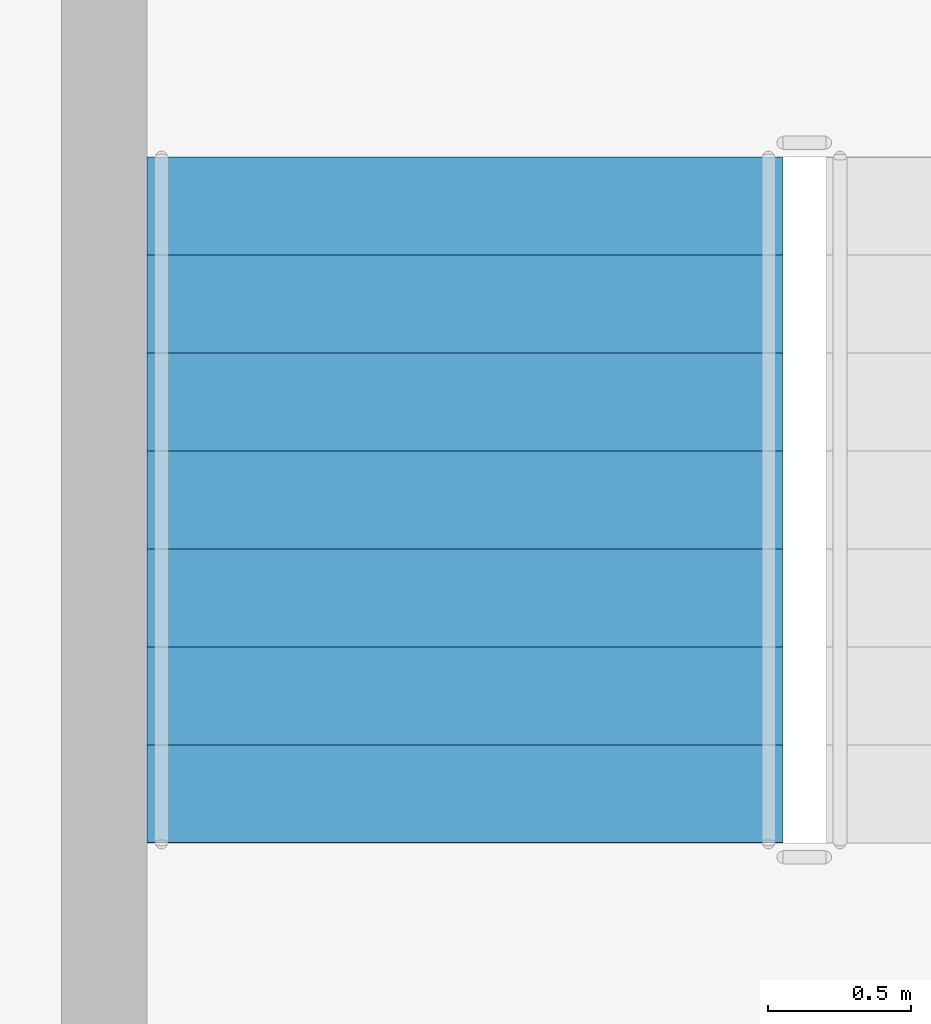
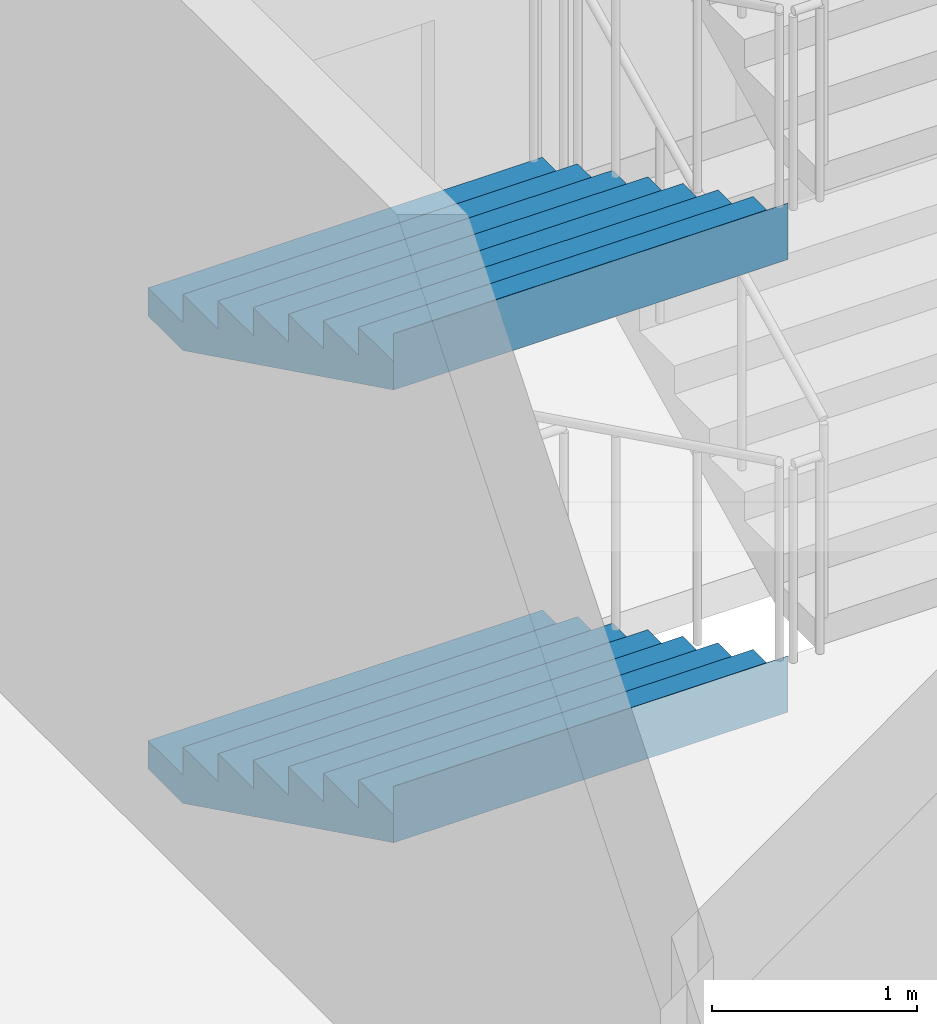
# One storey, part 29 of 42: 2 stair flights, 1 element without a shape of its own.
"""IFC4 building model written with IfcOpenShell, lengths in metres."""

from ifc_helpers import new_model, si_unit, direction, frame, origin, place, context, subcontext, project, spatial, triangles, material, type_object, element, aggregate, save


model = new_model("IFC4")

# Units and contexts
model_context = context("Model", 3, precision=1e-05, world=origin(), true_north=direction((0.0, 1.0)))
body_context = subcontext(model_context, "Body", "Model", "MODEL_VIEW")
ifc_project = project(units=[si_unit("LENGTHUNIT", "METRE"), si_unit("AREAUNIT", "SQUARE_METRE"), si_unit("VOLUMEUNIT", "CUBIC_METRE"), si_unit("PLANEANGLEUNIT", "RADIAN"), si_unit("MASSUNIT", "GRAM", prefix="KILO")], contexts=[model_context])

# Site, building, storey
site_placement = place(None, origin())
site = spatial("IfcSite", under=ifc_project, at=site_placement, CompositionType="ELEMENT")
building_placement = place(site_placement, origin())
building = spatial("IfcBuilding", under=site, at=building_placement, Name="Sahrelin Media Tower", CompositionType="ELEMENT")
storey_placement = place(building_placement, frame((0.0, 0.0, 26.0)))
storey = spatial("IfcBuildingStorey", under=building, at=storey_placement, Name="L03", CompositionType="ELEMENT", Elevation=26.0)

# Stair, stair flights
ifc_material = material(Name="Concrete C40/50", Category="concrete")
stair_type = type_object("IfcStairType", Name="Podium stair 2225", PredefinedType="HALF_TURN_STAIR", material=ifc_material)
stair_placement = place(storey_placement, origin())
stair = element("IfcStair", 1, at=stair_placement, inside=storey, type_object=stair_type, Name="L03 Podium stair PS3", PredefinedType="HALF_TURN_STAIR")
stair_flight_type = type_object("IfcStairFlightType", Name="Stair flight 2225", PredefinedType="STRAIGHT", material=ifc_material)
stair_flight_1_placement = place(storey_placement, frame((-11.83740234375, -30.625, 0.0), z_axis=(0.0, 0.0, 1.0), x_axis=(0.0, -1.0, 0.0)))
stair_flight_1 = element("IfcStairFlight", 2, at=stair_flight_1_placement, type_object=stair_flight_type, Name="PS3 flight 1", NumberOfRisers=8, NumberOfTreads=7, PredefinedType="STRAIGHT", RiserHeight=0.16875, TreadLength=0.342857143, context=body_context, shape_type="Tessellation", body=[
    triangles([(0.33935546875, 1.112548828125, 0.0), (0.33935546875, 0.794677734375, 0.0), (0.33935546875, 0.476806640625, 0.0), (0.33935546875, 0.158935546875, 0.0), (0.33935546875, -0.158935546875, 0.0), (0.33935546875, -0.476806640625, 0.0), (0.33935546875, -0.794677734375, 0.0), (0.33935546875, -1.112548828125, 0.0), (2.39990234375, 1.112548828125, 1.01416015625), (2.39990234375, 0.794677734375, 1.01416015625), (2.39990234375, 0.476806640625, 1.01416015625), (2.39990234375, 0.158935546875, 1.01416015625), (2.39990234375, -0.158935546875, 1.01416015625), (2.39990234375, -0.476806640625, 1.01416015625), (2.39990234375, -0.794677734375, 1.01416015625), (2.39990234375, -1.112548828125, 1.01416015625), (2.39990234375, 1.112548828125, 1.35009765625), (2.39990234375, 0.794677734375, 1.35009765625), (2.39990234375, 0.476806640625, 1.35009765625), (2.39990234375, 0.158935546875, 1.35009765625), (2.39990234375, -0.158935546875, 1.35009765625), (2.39990234375, -0.476806640625, 1.35009765625), (2.39990234375, -0.794677734375, 1.35009765625), (2.39990234375, -1.112548828125, 1.35009765625), (2.39794921875, 1.112548828125, 1.35009765625), (2.39794921875, 0.794677734375, 1.35009765625), (2.39794921875, 0.476806640625, 1.35009765625), (2.39794921875, 0.158935546875, 1.35009765625), (2.39794921875, -0.158935546875, 1.35009765625), (2.39794921875, -0.476806640625, 1.35009765625), (2.39794921875, -0.794677734375, 1.35009765625), (2.39794921875, -1.112548828125, 1.35009765625), (2.39794921875, 1.112548828125, 1.18115234375), (2.39794921875, 0.794677734375, 1.18115234375), (2.39794921875, 0.476806640625, 1.18115234375), (2.39794921875, 0.158935546875, 1.18115234375), (2.39794921875, -0.158935546875, 1.18115234375), (2.39794921875, -0.476806640625, 1.18115234375), (2.39794921875, -0.794677734375, 1.18115234375), (2.39794921875, -1.112548828125, 1.18115234375), (2.05712890625, 1.112548828125, 1.18115234375), (2.05712890625, 0.794677734375, 1.18115234375), (2.05712890625, 0.476806640625, 1.18115234375), (2.05712890625, 0.158935546875, 1.18115234375), (2.05712890625, -0.158935546875, 1.18115234375), (2.05712890625, -0.476806640625, 1.18115234375), (2.05712890625, -0.794677734375, 1.18115234375), (2.05712890625, -1.112548828125, 1.18115234375), (2.05712890625, 1.112548828125, 1.012451171875), (2.05712890625, 0.794677734375, 1.012451171875), (2.05712890625, 0.476806640625, 1.012451171875), (2.05712890625, 0.158935546875, 1.012451171875), (2.05712890625, -0.158935546875, 1.012451171875), (2.05712890625, -0.476806640625, 1.012451171875), (2.05712890625, -0.794677734375, 1.012451171875), (2.05712890625, -1.112548828125, 1.012451171875), (1.71435546875, 1.112548828125, 1.012451171875), (1.71435546875, 0.794677734375, 1.012451171875), (1.71435546875, 0.476806640625, 1.012451171875), (1.71435546875, 0.158935546875, 1.012451171875), (1.71435546875, -0.158935546875, 1.012451171875), (1.71435546875, -0.476806640625, 1.012451171875), (1.71435546875, -0.794677734375, 1.012451171875), (1.71435546875, -1.112548828125, 1.012451171875), (1.71435546875, 1.112548828125, 0.84375), (1.71435546875, 0.794677734375, 0.84375), (1.71435546875, 0.476806640625, 0.84375), (1.71435546875, 0.158935546875, 0.84375), (1.71435546875, -0.158935546875, 0.84375), (1.71435546875, -0.476806640625, 0.84375), (1.71435546875, -0.794677734375, 0.84375), (1.71435546875, -1.112548828125, 0.84375), (1.371337890625, 1.112548828125, 0.84375), (1.371337890625, 0.794677734375, 0.84375), (1.371337890625, 0.476806640625, 0.84375), (1.371337890625, 0.158935546875, 0.84375), (1.371337890625, -0.158935546875, 0.84375), (1.371337890625, -0.476806640625, 0.84375), (1.371337890625, -0.794677734375, 0.84375), (1.371337890625, -1.112548828125, 0.84375), (1.371337890625, 1.112548828125, 0.675048828125), (1.371337890625, 0.794677734375, 0.675048828125), (1.371337890625, 0.476806640625, 0.675048828125), (1.371337890625, 0.158935546875, 0.675048828125), (1.371337890625, -0.158935546875, 0.675048828125), (1.371337890625, -0.476806640625, 0.675048828125), (1.371337890625, -0.794677734375, 0.675048828125), (1.371337890625, -1.112548828125, 0.675048828125), (1.028564453125, 1.112548828125, 0.675048828125), (1.028564453125, 0.794677734375, 0.675048828125), (1.028564453125, 0.476806640625, 0.675048828125), (1.028564453125, 0.158935546875, 0.675048828125), (1.028564453125, -0.158935546875, 0.675048828125), (1.028564453125, -0.476806640625, 0.675048828125), (1.028564453125, -0.794677734375, 0.675048828125), (1.028564453125, -1.112548828125, 0.675048828125), (1.028564453125, 1.112548828125, 0.50634765625), (1.028564453125, 0.794677734375, 0.50634765625), (1.028564453125, 0.476806640625, 0.50634765625), (1.028564453125, 0.158935546875, 0.50634765625), (1.028564453125, -0.158935546875, 0.50634765625), (1.028564453125, -0.476806640625, 0.50634765625), (1.028564453125, -0.794677734375, 0.50634765625), (1.028564453125, -1.112548828125, 0.50634765625), (0.685791015625, 1.112548828125, 0.50634765625), (0.685791015625, 0.794677734375, 0.50634765625), (0.685791015625, 0.476806640625, 0.50634765625), (0.685791015625, 0.158935546875, 0.50634765625), (0.685791015625, -0.158935546875, 0.50634765625), (0.685791015625, -0.476806640625, 0.50634765625), (0.685791015625, -0.794677734375, 0.50634765625), (0.685791015625, -1.112548828125, 0.50634765625), (0.685791015625, 1.112548828125, 0.33740234375), (0.685791015625, 0.794677734375, 0.33740234375), (0.685791015625, 0.476806640625, 0.33740234375), (0.685791015625, 0.158935546875, 0.33740234375), (0.685791015625, -0.158935546875, 0.33740234375), (0.685791015625, -0.476806640625, 0.33740234375), (0.685791015625, -0.794677734375, 0.33740234375), (0.685791015625, -1.112548828125, 0.33740234375), (0.3427734375, 1.112548828125, 0.33740234375), (0.3427734375, 0.794677734375, 0.33740234375), (0.3427734375, 0.476806640625, 0.33740234375), (0.3427734375, 0.158935546875, 0.33740234375), (0.3427734375, -0.158935546875, 0.33740234375), (0.3427734375, -0.476806640625, 0.33740234375), (0.3427734375, -0.794677734375, 0.33740234375), (0.3427734375, -1.112548828125, 0.33740234375), (0.3427734375, 1.112548828125, 0.168701171875), (0.3427734375, 0.794677734375, 0.168701171875), (0.3427734375, 0.476806640625, 0.168701171875), (0.3427734375, 0.158935546875, 0.168701171875), (0.3427734375, -0.158935546875, 0.168701171875), (0.3427734375, -0.476806640625, 0.168701171875), (0.3427734375, -0.794677734375, 0.168701171875), (0.3427734375, -1.112548828125, 0.168701171875), (0.0, 1.112548828125, 0.168701171875), (0.0, 0.794677734375, 0.168701171875), (0.0, 0.476806640625, 0.168701171875), (0.0, 0.158935546875, 0.168701171875), (0.0, -0.158935546875, 0.168701171875), (0.0, -0.476806640625, 0.168701171875), (0.0, -0.794677734375, 0.168701171875), (0.0, -1.112548828125, 0.168701171875), (0.0, 1.112548828125, 0.0), (0.0, 0.794677734375, 0.0), (0.0, 0.476806640625, 0.0), (0.0, 0.158935546875, 0.0), (0.0, -0.158935546875, 0.0), (0.0, -0.476806640625, 0.0), (0.0, -0.794677734375, 0.0), (0.0, -1.112548828125, 0.0)], [[1, 9, 10], [1, 10, 2], [2, 10, 11], [2, 11, 3], [3, 11, 12], [3, 12, 4], [4, 12, 13], [4, 13, 5], [5, 13, 14], [5, 14, 6], [6, 14, 15], [6, 15, 7], [7, 15, 16], [7, 16, 8], [9, 17, 18], [9, 18, 10], [10, 18, 19], [10, 19, 11], [11, 19, 20], [11, 20, 12], [12, 20, 21], [12, 21, 13], [13, 21, 22], [13, 22, 14], [14, 22, 23], [14, 23, 15], [15, 23, 24], [15, 24, 16], [17, 25, 26], [17, 26, 18], [18, 26, 27], [18, 27, 19], [19, 27, 28], [19, 28, 20], [20, 28, 29], [20, 29, 21], [21, 29, 30], [21, 30, 22], [22, 30, 31], [22, 31, 23], [23, 31, 32], [23, 32, 24], [25, 33, 34], [25, 34, 26], [26, 34, 35], [26, 35, 27], [27, 35, 36], [27, 36, 28], [28, 36, 37], [28, 37, 29], [29, 37, 38], [29, 38, 30], [30, 38, 39], [30, 39, 31], [31, 39, 40], [31, 40, 32], [33, 41, 42], [33, 42, 34], [34, 42, 43], [34, 43, 35], [35, 43, 44], [35, 44, 36], [36, 44, 45], [36, 45, 37], [37, 45, 46], [37, 46, 38], [38, 46, 47], [38, 47, 39], [39, 47, 48], [39, 48, 40], [41, 49, 50], [41, 50, 42], [42, 50, 51], [42, 51, 43], [43, 51, 52], [43, 52, 44], [44, 52, 53], [44, 53, 45], [45, 53, 54], [45, 54, 46], [46, 54, 55], [46, 55, 47], [47, 55, 56], [47, 56, 48], [49, 57, 58], [49, 58, 50], [50, 58, 59], [50, 59, 51], [51, 59, 60], [51, 60, 52], [52, 60, 61], [52, 61, 53], [53, 61, 62], [53, 62, 54], [54, 62, 63], [54, 63, 55], [55, 63, 64], [55, 64, 56], [57, 65, 66], [57, 66, 58], [58, 66, 67], [58, 67, 59], [59, 67, 68], [59, 68, 60], [60, 68, 69], [60, 69, 61], [61, 69, 70], [61, 70, 62], [62, 70, 71], [62, 71, 63], [63, 71, 72], [63, 72, 64], [65, 73, 74], [65, 74, 66], [66, 74, 75], [66, 75, 67], [67, 75, 76], [67, 76, 68], [68, 76, 77], [68, 77, 69], [69, 77, 78], [69, 78, 70], [70, 78, 79], [70, 79, 71], [71, 79, 80], [71, 80, 72], [73, 81, 82], [73, 82, 74], [74, 82, 83], [74, 83, 75], [75, 83, 84], [75, 84, 76], [76, 84, 85], [76, 85, 77], [77, 85, 86], [77, 86, 78], [78, 86, 87], [78, 87, 79], [79, 87, 88], [79, 88, 80], [81, 89, 90], [81, 90, 82], [82, 90, 91], [82, 91, 83], [83, 91, 92], [83, 92, 84], [84, 92, 93], [84, 93, 85], [85, 93, 94], [85, 94, 86], [86, 94, 95], [86, 95, 87], [87, 95, 96], [87, 96, 88], [89, 97, 98], [89, 98, 90], [90, 98, 99], [90, 99, 91], [91, 99, 100], [91, 100, 92], [92, 100, 101], [92, 101, 93], [93, 101, 102], [93, 102, 94], [94, 102, 103], [94, 103, 95], [95, 103, 104], [95, 104, 96], [97, 105, 106], [97, 106, 98], [98, 106, 107], [98, 107, 99], [99, 107, 108], [99, 108, 100], [100, 108, 109], [100, 109, 101], [101, 109, 110], [101, 110, 102], [102, 110, 111], [102, 111, 103], [103, 111, 112], [103, 112, 104], [105, 113, 114], [105, 114, 106], [106, 114, 115], [106, 115, 107], [107, 115, 116], [107, 116, 108], [108, 116, 117], [108, 117, 109], [109, 117, 118], [109, 118, 110], [110, 118, 119], [110, 119, 111], [111, 119, 120], [111, 120, 112], [113, 121, 122], [113, 122, 114], [114, 122, 123], [114, 123, 115], [115, 123, 124], [115, 124, 116], [116, 124, 125], [116, 125, 117], [117, 125, 126], [117, 126, 118], [118, 126, 127], [118, 127, 119], [119, 127, 128], [119, 128, 120], [121, 129, 130], [121, 130, 122], [122, 130, 131], [122, 131, 123], [123, 131, 132], [123, 132, 124], [124, 132, 133], [124, 133, 125], [125, 133, 134], [125, 134, 126], [126, 134, 135], [126, 135, 127], [127, 135, 136], [127, 136, 128], [129, 137, 138], [129, 138, 130], [130, 138, 139], [130, 139, 131], [131, 139, 140], [131, 140, 132], [132, 140, 141], [132, 141, 133], [133, 141, 142], [133, 142, 134], [134, 142, 143], [134, 143, 135], [135, 143, 144], [135, 144, 136], [137, 145, 146], [137, 146, 138], [138, 146, 147], [138, 147, 139], [139, 147, 148], [139, 148, 140], [140, 148, 149], [140, 149, 141], [141, 149, 150], [141, 150, 142], [142, 150, 151], [142, 151, 143], [143, 151, 152], [143, 152, 144], [145, 1, 2], [145, 2, 146], [146, 2, 3], [146, 3, 147], [147, 3, 4], [147, 4, 148], [148, 4, 5], [148, 5, 149], [149, 5, 6], [149, 6, 150], [150, 6, 7], [150, 7, 151], [151, 7, 8], [151, 8, 152], [8, 144, 152], [1, 145, 137], [136, 120, 128], [129, 121, 113], [120, 104, 112], [113, 105, 97], [104, 88, 96], [97, 89, 81], [88, 72, 80], [81, 73, 65], [72, 56, 64], [65, 57, 49], [56, 40, 48], [49, 41, 33], [40, 24, 32], [33, 25, 17], [8, 136, 144], [1, 137, 129], [8, 88, 104], [1, 97, 81], [40, 16, 24], [33, 17, 9], [120, 136, 8], [113, 1, 129], [16, 72, 88], [9, 81, 65], [56, 16, 40], [49, 33, 9], [104, 120, 8], [97, 1, 113], [72, 16, 56], [65, 49, 9], [8, 16, 88], [1, 81, 9]], closed=True),
])
stair_flight_2_placement = place(storey_placement, frame((-11.83740234375, -30.625, 2.699951171875), z_axis=(0.0, 0.0, 1.0), x_axis=(0.0, -1.0, 0.0)))
stair_flight_2 = element("IfcStairFlight", 3, at=stair_flight_2_placement, type_object=stair_flight_type, Name="PS3 flight 3", NumberOfRisers=8, NumberOfTreads=7, PredefinedType="STRAIGHT", RiserHeight=0.16875, TreadLength=0.342857143, context=body_context, shape_type="Tessellation", body=[
    triangles([(0.33935546875, 1.112548828125, 0.0), (0.33935546875, 0.794677734375, 0.0), (0.33935546875, 0.476806640625, 0.0), (0.33935546875, 0.158935546875, 0.0), (0.33935546875, -0.158935546875, 0.0), (0.33935546875, -0.476806640625, 0.0), (0.33935546875, -0.794677734375, 0.0), (0.33935546875, -1.112548828125, 0.0), (2.39990234375, 1.112548828125, 1.01416015625), (2.39990234375, 0.794677734375, 1.01416015625), (2.39990234375, 0.476806640625, 1.01416015625), (2.39990234375, 0.158935546875, 1.01416015625), (2.39990234375, -0.158935546875, 1.01416015625), (2.39990234375, -0.476806640625, 1.01416015625), (2.39990234375, -0.794677734375, 1.01416015625), (2.39990234375, -1.112548828125, 1.01416015625), (2.39990234375, 1.112548828125, 1.35009765625), (2.39990234375, 0.794677734375, 1.35009765625), (2.39990234375, 0.476806640625, 1.35009765625), (2.39990234375, 0.158935546875, 1.35009765625), (2.39990234375, -0.158935546875, 1.35009765625), (2.39990234375, -0.476806640625, 1.35009765625), (2.39990234375, -0.794677734375, 1.35009765625), (2.39990234375, -1.112548828125, 1.35009765625), (2.39794921875, 1.112548828125, 1.35009765625), (2.39794921875, 0.794677734375, 1.35009765625), (2.39794921875, 0.476806640625, 1.35009765625), (2.39794921875, 0.158935546875, 1.35009765625), (2.39794921875, -0.158935546875, 1.35009765625), (2.39794921875, -0.476806640625, 1.35009765625), (2.39794921875, -0.794677734375, 1.35009765625), (2.39794921875, -1.112548828125, 1.35009765625), (2.39794921875, 1.112548828125, 1.18115234375), (2.39794921875, 0.794677734375, 1.18115234375), (2.39794921875, 0.476806640625, 1.18115234375), (2.39794921875, 0.158935546875, 1.18115234375), (2.39794921875, -0.158935546875, 1.18115234375), (2.39794921875, -0.476806640625, 1.18115234375), (2.39794921875, -0.794677734375, 1.18115234375), (2.39794921875, -1.112548828125, 1.18115234375), (2.05712890625, 1.112548828125, 1.18115234375), (2.05712890625, 0.794677734375, 1.18115234375), (2.05712890625, 0.476806640625, 1.18115234375), (2.05712890625, 0.158935546875, 1.18115234375), (2.05712890625, -0.158935546875, 1.18115234375), (2.05712890625, -0.476806640625, 1.18115234375), (2.05712890625, -0.794677734375, 1.18115234375), (2.05712890625, -1.112548828125, 1.18115234375), (2.05712890625, 1.112548828125, 1.012451171875), (2.05712890625, 0.794677734375, 1.012451171875), (2.05712890625, 0.476806640625, 1.012451171875), (2.05712890625, 0.158935546875, 1.012451171875), (2.05712890625, -0.158935546875, 1.012451171875), (2.05712890625, -0.476806640625, 1.012451171875), (2.05712890625, -0.794677734375, 1.012451171875), (2.05712890625, -1.112548828125, 1.012451171875), (1.71435546875, 1.112548828125, 1.012451171875), (1.71435546875, 0.794677734375, 1.012451171875), (1.71435546875, 0.476806640625, 1.012451171875), (1.71435546875, 0.158935546875, 1.012451171875), (1.71435546875, -0.158935546875, 1.012451171875), (1.71435546875, -0.476806640625, 1.012451171875), (1.71435546875, -0.794677734375, 1.012451171875), (1.71435546875, -1.112548828125, 1.012451171875), (1.71435546875, 1.112548828125, 0.84375), (1.71435546875, 0.794677734375, 0.84375), (1.71435546875, 0.476806640625, 0.84375), (1.71435546875, 0.158935546875, 0.84375), (1.71435546875, -0.158935546875, 0.84375), (1.71435546875, -0.476806640625, 0.84375), (1.71435546875, -0.794677734375, 0.84375), (1.71435546875, -1.112548828125, 0.84375), (1.371337890625, 1.112548828125, 0.84375), (1.371337890625, 0.794677734375, 0.84375), (1.371337890625, 0.476806640625, 0.84375), (1.371337890625, 0.158935546875, 0.84375), (1.371337890625, -0.158935546875, 0.84375), (1.371337890625, -0.476806640625, 0.84375), (1.371337890625, -0.794677734375, 0.84375), (1.371337890625, -1.112548828125, 0.84375), (1.371337890625, 1.112548828125, 0.675048828125), (1.371337890625, 0.794677734375, 0.675048828125), (1.371337890625, 0.476806640625, 0.675048828125), (1.371337890625, 0.158935546875, 0.675048828125), (1.371337890625, -0.158935546875, 0.675048828125), (1.371337890625, -0.476806640625, 0.675048828125), (1.371337890625, -0.794677734375, 0.675048828125), (1.371337890625, -1.112548828125, 0.675048828125), (1.028564453125, 1.112548828125, 0.675048828125), (1.028564453125, 0.794677734375, 0.675048828125), (1.028564453125, 0.476806640625, 0.675048828125), (1.028564453125, 0.158935546875, 0.675048828125), (1.028564453125, -0.158935546875, 0.675048828125), (1.028564453125, -0.476806640625, 0.675048828125), (1.028564453125, -0.794677734375, 0.675048828125), (1.028564453125, -1.112548828125, 0.675048828125), (1.028564453125, 1.112548828125, 0.50634765625), (1.028564453125, 0.794677734375, 0.50634765625), (1.028564453125, 0.476806640625, 0.50634765625), (1.028564453125, 0.158935546875, 0.50634765625), (1.028564453125, -0.158935546875, 0.50634765625), (1.028564453125, -0.476806640625, 0.50634765625), (1.028564453125, -0.794677734375, 0.50634765625), (1.028564453125, -1.112548828125, 0.50634765625), (0.685791015625, 1.112548828125, 0.50634765625), (0.685791015625, 0.794677734375, 0.50634765625), (0.685791015625, 0.476806640625, 0.50634765625), (0.685791015625, 0.158935546875, 0.50634765625), (0.685791015625, -0.158935546875, 0.50634765625), (0.685791015625, -0.476806640625, 0.50634765625), (0.685791015625, -0.794677734375, 0.50634765625), (0.685791015625, -1.112548828125, 0.50634765625), (0.685791015625, 1.112548828125, 0.33740234375), (0.685791015625, 0.794677734375, 0.33740234375), (0.685791015625, 0.476806640625, 0.33740234375), (0.685791015625, 0.158935546875, 0.33740234375), (0.685791015625, -0.158935546875, 0.33740234375), (0.685791015625, -0.476806640625, 0.33740234375), (0.685791015625, -0.794677734375, 0.33740234375), (0.685791015625, -1.112548828125, 0.33740234375), (0.3427734375, 1.112548828125, 0.33740234375), (0.3427734375, 0.794677734375, 0.33740234375), (0.3427734375, 0.476806640625, 0.33740234375), (0.3427734375, 0.158935546875, 0.33740234375), (0.3427734375, -0.158935546875, 0.33740234375), (0.3427734375, -0.476806640625, 0.33740234375), (0.3427734375, -0.794677734375, 0.33740234375), (0.3427734375, -1.112548828125, 0.33740234375), (0.3427734375, 1.112548828125, 0.168701171875), (0.3427734375, 0.794677734375, 0.168701171875), (0.3427734375, 0.476806640625, 0.168701171875), (0.3427734375, 0.158935546875, 0.168701171875), (0.3427734375, -0.158935546875, 0.168701171875), (0.3427734375, -0.476806640625, 0.168701171875), (0.3427734375, -0.794677734375, 0.168701171875), (0.3427734375, -1.112548828125, 0.168701171875), (0.0, 1.112548828125, 0.168701171875), (0.0, 0.794677734375, 0.168701171875), (0.0, 0.476806640625, 0.168701171875), (0.0, 0.158935546875, 0.168701171875), (0.0, -0.158935546875, 0.168701171875), (0.0, -0.476806640625, 0.168701171875), (0.0, -0.794677734375, 0.168701171875), (0.0, -1.112548828125, 0.168701171875), (0.0, 1.112548828125, 0.0), (0.0, 0.794677734375, 0.0), (0.0, 0.476806640625, 0.0), (0.0, 0.158935546875, 0.0), (0.0, -0.158935546875, 0.0), (0.0, -0.476806640625, 0.0), (0.0, -0.794677734375, 0.0), (0.0, -1.112548828125, 0.0)], [[1, 9, 10], [1, 10, 2], [2, 10, 11], [2, 11, 3], [3, 11, 12], [3, 12, 4], [4, 12, 13], [4, 13, 5], [5, 13, 14], [5, 14, 6], [6, 14, 15], [6, 15, 7], [7, 15, 16], [7, 16, 8], [9, 17, 18], [9, 18, 10], [10, 18, 19], [10, 19, 11], [11, 19, 20], [11, 20, 12], [12, 20, 21], [12, 21, 13], [13, 21, 22], [13, 22, 14], [14, 22, 23], [14, 23, 15], [15, 23, 24], [15, 24, 16], [17, 25, 26], [17, 26, 18], [18, 26, 27], [18, 27, 19], [19, 27, 28], [19, 28, 20], [20, 28, 29], [20, 29, 21], [21, 29, 30], [21, 30, 22], [22, 30, 31], [22, 31, 23], [23, 31, 32], [23, 32, 24], [25, 33, 34], [25, 34, 26], [26, 34, 35], [26, 35, 27], [27, 35, 36], [27, 36, 28], [28, 36, 37], [28, 37, 29], [29, 37, 38], [29, 38, 30], [30, 38, 39], [30, 39, 31], [31, 39, 40], [31, 40, 32], [33, 41, 42], [33, 42, 34], [34, 42, 43], [34, 43, 35], [35, 43, 44], [35, 44, 36], [36, 44, 45], [36, 45, 37], [37, 45, 46], [37, 46, 38], [38, 46, 47], [38, 47, 39], [39, 47, 48], [39, 48, 40], [41, 49, 50], [41, 50, 42], [42, 50, 51], [42, 51, 43], [43, 51, 52], [43, 52, 44], [44, 52, 53], [44, 53, 45], [45, 53, 54], [45, 54, 46], [46, 54, 55], [46, 55, 47], [47, 55, 56], [47, 56, 48], [49, 57, 58], [49, 58, 50], [50, 58, 59], [50, 59, 51], [51, 59, 60], [51, 60, 52], [52, 60, 61], [52, 61, 53], [53, 61, 62], [53, 62, 54], [54, 62, 63], [54, 63, 55], [55, 63, 64], [55, 64, 56], [57, 65, 66], [57, 66, 58], [58, 66, 67], [58, 67, 59], [59, 67, 68], [59, 68, 60], [60, 68, 69], [60, 69, 61], [61, 69, 70], [61, 70, 62], [62, 70, 71], [62, 71, 63], [63, 71, 72], [63, 72, 64], [65, 73, 74], [65, 74, 66], [66, 74, 75], [66, 75, 67], [67, 75, 76], [67, 76, 68], [68, 76, 77], [68, 77, 69], [69, 77, 78], [69, 78, 70], [70, 78, 79], [70, 79, 71], [71, 79, 80], [71, 80, 72], [73, 81, 82], [73, 82, 74], [74, 82, 83], [74, 83, 75], [75, 83, 84], [75, 84, 76], [76, 84, 85], [76, 85, 77], [77, 85, 86], [77, 86, 78], [78, 86, 87], [78, 87, 79], [79, 87, 88], [79, 88, 80], [81, 89, 90], [81, 90, 82], [82, 90, 91], [82, 91, 83], [83, 91, 92], [83, 92, 84], [84, 92, 93], [84, 93, 85], [85, 93, 94], [85, 94, 86], [86, 94, 95], [86, 95, 87], [87, 95, 96], [87, 96, 88], [89, 97, 98], [89, 98, 90], [90, 98, 99], [90, 99, 91], [91, 99, 100], [91, 100, 92], [92, 100, 101], [92, 101, 93], [93, 101, 102], [93, 102, 94], [94, 102, 103], [94, 103, 95], [95, 103, 104], [95, 104, 96], [97, 105, 106], [97, 106, 98], [98, 106, 107], [98, 107, 99], [99, 107, 108], [99, 108, 100], [100, 108, 109], [100, 109, 101], [101, 109, 110], [101, 110, 102], [102, 110, 111], [102, 111, 103], [103, 111, 112], [103, 112, 104], [105, 113, 114], [105, 114, 106], [106, 114, 115], [106, 115, 107], [107, 115, 116], [107, 116, 108], [108, 116, 117], [108, 117, 109], [109, 117, 118], [109, 118, 110], [110, 118, 119], [110, 119, 111], [111, 119, 120], [111, 120, 112], [113, 121, 122], [113, 122, 114], [114, 122, 123], [114, 123, 115], [115, 123, 124], [115, 124, 116], [116, 124, 125], [116, 125, 117], [117, 125, 126], [117, 126, 118], [118, 126, 127], [118, 127, 119], [119, 127, 128], [119, 128, 120], [121, 129, 130], [121, 130, 122], [122, 130, 131], [122, 131, 123], [123, 131, 132], [123, 132, 124], [124, 132, 133], [124, 133, 125], [125, 133, 134], [125, 134, 126], [126, 134, 135], [126, 135, 127], [127, 135, 136], [127, 136, 128], [129, 137, 138], [129, 138, 130], [130, 138, 139], [130, 139, 131], [131, 139, 140], [131, 140, 132], [132, 140, 141], [132, 141, 133], [133, 141, 142], [133, 142, 134], [134, 142, 143], [134, 143, 135], [135, 143, 144], [135, 144, 136], [137, 145, 146], [137, 146, 138], [138, 146, 147], [138, 147, 139], [139, 147, 148], [139, 148, 140], [140, 148, 149], [140, 149, 141], [141, 149, 150], [141, 150, 142], [142, 150, 151], [142, 151, 143], [143, 151, 152], [143, 152, 144], [145, 1, 2], [145, 2, 146], [146, 2, 3], [146, 3, 147], [147, 3, 4], [147, 4, 148], [148, 4, 5], [148, 5, 149], [149, 5, 6], [149, 6, 150], [150, 6, 7], [150, 7, 151], [151, 7, 8], [151, 8, 152], [8, 144, 152], [1, 145, 137], [136, 120, 128], [129, 121, 113], [120, 104, 112], [113, 105, 97], [104, 88, 96], [97, 89, 81], [88, 72, 80], [81, 73, 65], [72, 56, 64], [65, 57, 49], [56, 40, 48], [49, 41, 33], [40, 24, 32], [33, 25, 17], [8, 136, 144], [1, 137, 129], [8, 88, 104], [1, 97, 81], [40, 16, 24], [33, 17, 9], [120, 136, 8], [113, 1, 129], [16, 72, 88], [9, 81, 65], [56, 16, 40], [49, 33, 9], [104, 120, 8], [97, 1, 113], [72, 16, 56], [65, 49, 9], [8, 16, 88], [1, 81, 9]], closed=True),
])
aggregate(stair, [stair_flight_1, stair_flight_2])

save(model, "model.ifc")
